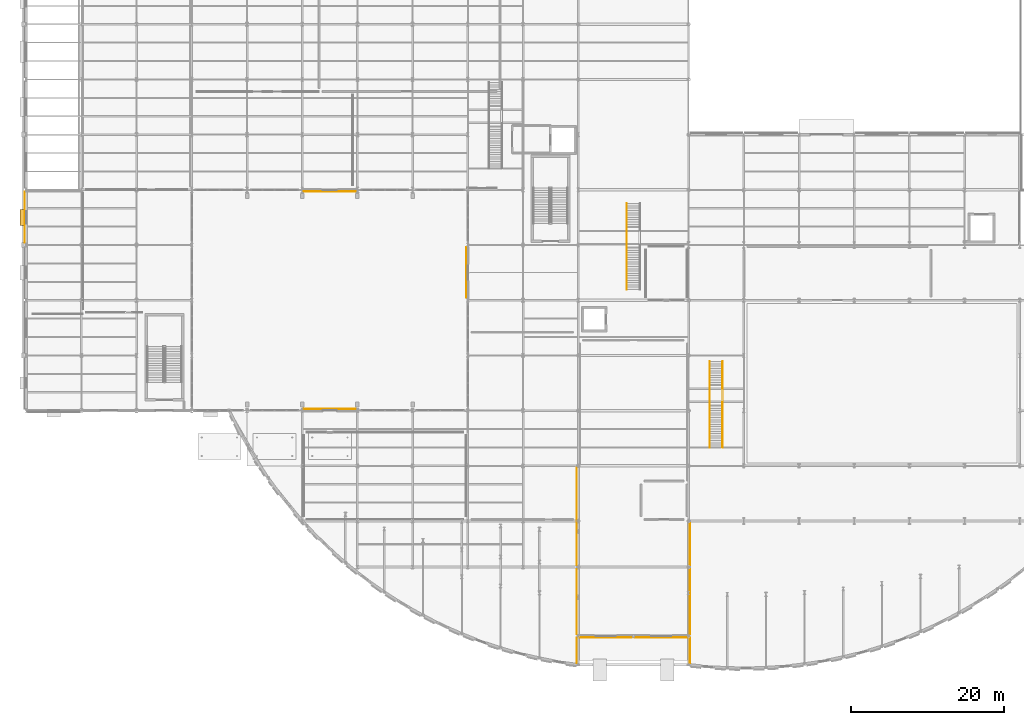
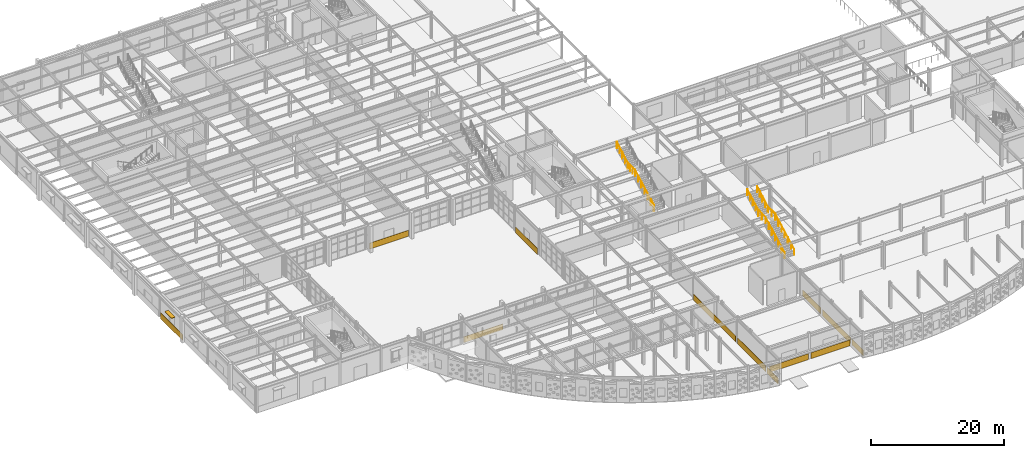
# One storey, part 72 of 83: 12 coverings, 3 railings, 1 shading device.
"""IFC4 building model written with IfcOpenShell, lengths in metres."""

from ifc_helpers import new_model, si_unit, direction, frame, origin, origin_2d, place, context, subcontext, project, spatial, rectangle, circle, extrude, material, layer, layer_set, type_object, element, save


model = new_model("IFC4")

# Units and contexts
model_context = context("Model", 3, precision=1e-05, world=origin(), true_north=direction((0.0, 1.0)))
body_context = subcontext(model_context, "Body", "Model", "MODEL_VIEW")
ifc_project = project(units=[si_unit("LENGTHUNIT", "METRE"), si_unit("AREAUNIT", "SQUARE_METRE"), si_unit("VOLUMEUNIT", "CUBIC_METRE"), si_unit("PLANEANGLEUNIT", "RADIAN"), si_unit("MASSUNIT", "GRAM", prefix="KILO")], contexts=[model_context])

# Site, building, storey
site_placement = place(None, origin())
site = spatial("IfcSite", under=ifc_project, at=site_placement, CompositionType="ELEMENT")
building_placement = place(site_placement, origin())
building = spatial("IfcBuilding", under=site, at=building_placement, Name="Solvadek Multi-Sports Hall", CompositionType="ELEMENT")
storey_placement = place(building_placement, origin())
storey = spatial("IfcBuildingStorey", under=building, at=storey_placement, Name="L00", CompositionType="ELEMENT", Elevation=0.0)

# Coverings
ifc_material_1 = material(Name="Dressed honey-cream limestone ashlar", Category="masonry")
ifc_layer = layer(ifc_material_1, 0.044921875, Name="Dressed honey-cream limestone ashlar")
ifc_layer_set = layer_set([ifc_layer], Name="Dressed honey-cream limestone ashlar")
covering_type = type_object("IfcCoveringType", Name="ENV-COV-CLAD45", PredefinedType="CLADDING", material=ifc_layer_set)
covering_1_placement = place(storey_placement, frame((-0.197021484375, 45.60009765625, 0.0), z_axis=(0.0, 0.0, 1.0), x_axis=(0.0, 1.0, 0.0)))
element("IfcCovering", 1, at=covering_1_placement, inside=storey, type_object=covering_type, Name="Deccan Granite Plinth Cladding #4", PredefinedType="CLADDING", context=body_context, shape_type="SweptSolid", body=[
    extrude(rectangle(XDim=6.64208984375, YDim=0.044921875, at=origin_2d()), origin(), (0.0, 0.0, 1.0), 1.10009765625),
])
for number, where, z_axis, x_axis, name in (
    (2, (75.60009765625, -9.197021484375, 0.0), (0.0, 0.0, 1.0), (1.0, 0.0, 0.0), "Deccan Granite Plinth Cladding #21"),
    (3, (82.800048828125, -9.197021484375, 0.0), (0.0, 0.0, 1.0), (1.0, 0.0, 0.0), "Deccan Granite Plinth Cladding #22"),
):
    element("IfcCovering", number, at=place(storey_placement, frame(where, z_axis=z_axis, x_axis=x_axis)), inside=storey, type_object=covering_type, Name=name, PredefinedType="CLADDING", context=body_context, shape_type="SweptSolid", body=[
        extrude(rectangle(XDim=6.7919921875, YDim=0.044921875, at=origin_2d()), origin(), (0.0, 0.0, 1.0), 1.10009765625),
    ])
covering_2_placement = place(storey_placement, frame((71.802978515625, -10.87646484375, 0.0), z_axis=(0.0, 0.0, 1.0), x_axis=(0.0, 1.0, 0.0)))
element("IfcCovering", 4, at=covering_2_placement, inside=storey, type_object=covering_type, Name="Deccan Granite Plinth Cladding #23", PredefinedType="CLADDING", context=body_context, shape_type="SweptSolid", body=[
    extrude(rectangle(XDim=3.344970703125, YDim=0.044921875, at=origin_2d()), origin(), (0.0, 0.0, 1.0), 1.10009765625),
])
covering_3_placement = place(storey_placement, frame((71.802978515625, -4.526611328125, 0.0), z_axis=(0.0, 0.0, 1.0), x_axis=(0.0, 1.0, 0.0)))
element("IfcCovering", 5, at=covering_3_placement, inside=storey, type_object=covering_type, Name="Deccan Granite Plinth Cladding #24", PredefinedType="CLADDING", context=body_context, shape_type="SweptSolid", body=[
    extrude(rectangle(XDim=8.5390625, YDim=0.044921875, at=origin_2d()), origin(), (0.0, 0.0, 1.0), 1.10009765625),
])
covering_4_placement = place(storey_placement, frame((71.802978515625, 6.60009765625, 0.0), z_axis=(0.0, 0.0, 1.0), x_axis=(0.0, 1.0, 0.0)))
element("IfcCovering", 6, at=covering_4_placement, inside=storey, type_object=covering_type, Name="Deccan Granite Plinth Cladding #25", PredefinedType="CLADDING", context=body_context, shape_type="SweptSolid", body=[
    extrude(rectangle(XDim=12.68603515625, YDim=0.044921875, at=origin_2d()), origin(), (0.0, 0.0, 1.0), 1.10009765625),
])
covering_5_placement = place(storey_placement, frame((86.59716796875, -10.87646484375, 0.0), z_axis=(0.0, 0.0, 1.0), x_axis=(0.0, 1.0, 0.0)))
element("IfcCovering", 7, at=covering_5_placement, inside=storey, type_object=covering_type, Name="Deccan Granite Plinth Cladding #26", PredefinedType="CLADDING", context=body_context, shape_type="SweptSolid", body=[
    extrude(rectangle(XDim=3.344970703125, YDim=0.044921875, at=origin_2d()), origin(), (0.0, 0.0, 1.0), 1.10009765625),
])
covering_6_placement = place(storey_placement, frame((86.59716796875, -4.526611328125, 0.0), z_axis=(0.0, 0.0, 1.0), x_axis=(0.0, 1.0, 0.0)))
element("IfcCovering", 8, at=covering_6_placement, inside=storey, type_object=covering_type, Name="Deccan Granite Plinth Cladding #27", PredefinedType="CLADDING", context=body_context, shape_type="SweptSolid", body=[
    extrude(rectangle(XDim=8.5390625, YDim=0.044921875, at=origin_2d()), origin(), (0.0, 0.0, 1.0), 1.10009765625),
])
covering_7_placement = place(storey_placement, frame((86.59716796875, 3.0, 0.0), z_axis=(0.0, 0.0, 1.0), x_axis=(0.0, 1.0, 0.0)))
element("IfcCovering", 9, at=covering_7_placement, inside=storey, type_object=covering_type, Name="Deccan Granite Plinth Cladding #28", PredefinedType="CLADDING", context=body_context, shape_type="SweptSolid", body=[
    extrude(rectangle(XDim=5.486083984375, YDim=0.044921875, at=origin_2d()), origin(), (0.0, 0.0, 1.0), 1.10009765625),
])
for number, where, z_axis, x_axis, name in (
    (10, (39.60009765625, 20.59716796875, 0.0), (0.0, 0.0, 1.0), (1.0, 0.0, 0.0), "Deccan Granite Plinth Cladding #43"),
    (11, (39.60009765625, 49.0029296875, 0.0), (0.0, 0.0, 1.0), (1.0, 0.0, 0.0), "Deccan Granite Plinth Cladding #44"),
):
    element("IfcCovering", number, at=place(storey_placement, frame(where, z_axis=z_axis, x_axis=x_axis)), inside=storey, type_object=covering_type, Name=name, PredefinedType="CLADDING", context=body_context, shape_type="SweptSolid", body=[
        extrude(rectangle(XDim=6.7919921875, YDim=0.044921875, at=origin_2d()), origin(), (0.0, 0.0, 1.0), 1.10009765625),
    ])
covering_8_placement = place(storey_placement, frame((57.40283203125, 38.39990234375, 0.0), z_axis=(0.0, 0.0, 1.0), x_axis=(0.0, 1.0, 0.0)))
element("IfcCovering", 12, at=covering_8_placement, inside=storey, type_object=covering_type, Name="Deccan Granite Plinth Cladding #45", PredefinedType="CLADDING", context=body_context, shape_type="SweptSolid", body=[
    extrude(rectangle(XDim=6.592041015625, YDim=0.044921875, at=origin_2d()), origin(), (0.0, 0.0, 1.0), 1.10009765625),
])

# Shading device
ifc_material_2 = material(Name="Perforated champagne-bronze anodised aluminium", Category="aluminium")
shading_device_type = type_object("IfcShadingDeviceType", Name="ENV-SHD-CHAJJA2", PredefinedType="JALOUSIE", material=ifc_material_2)
shading_device_placement = place(storey_placement, frame((-0.494384765625, 45.60009765625, 2.81982421875), z_axis=(0.0, 0.0, 1.0), x_axis=(0.0, 1.0, 0.0)))
element("IfcShadingDevice", 13, at=shading_device_placement, inside=storey, type_object=shading_device_type, Name="L00 Chajja Solar Shading Hood #8", PredefinedType="JALOUSIE", context=body_context, shape_type="SweptSolid", body=[
    extrude(rectangle(XDim=2.050048828125, YDim=0.639892578125, at=origin_2d()), origin(), (0.0, 0.0, 1.0), 0.1201171875),
])

# Railings
ifc_material_3 = material(Name="Steel E250 (250 MPa)", Category="steel")
railing_type = type_object("IfcRailingType", Name="INT-RAL-GRD115", PredefinedType="BALUSTRADE", material=ifc_material_3)
railing_1_placement = place(storey_placement, frame((78.3349609375, 36.199951171875, 0.0)))
element("IfcRailing", 14, at=railing_1_placement, inside=storey, type_object=railing_type, Name="Stair ST-07 Balustrade Guard", PredefinedType="BALUSTRADE", context=body_context, shape_type="SweptSolid", body=[
    extrude(circle(Radius=0.02392578125, at=origin_2d()), frame((0.0, 0.0, 1.1259765625), z_axis=(0.0, 0.884916578004, 0.465749557138), x_axis=(-1.0, 0.0, 0.0)), (0.0, 0.0, 1.0), 6.441162109375),
    extrude(circle(Radius=0.02392578125, at=origin_2d()), frame((0.0, 5.699951171875, 4.1259765625), z_axis=(0.0, 1.0, 0.0), x_axis=(-1.0, 0.0, 0.0)), (0.0, 0.0, 1.0), 2.2001953125),
    extrude(circle(Radius=0.02392578125, at=origin_2d()), frame((0.0, 7.900146484375, 4.1259765625), z_axis=(0.0, 0.8778781969, 0.478883985332), x_axis=(-1.0, 0.0, 0.0)), (0.0, 0.0, 1.0), 3.7587890625),
    extrude(circle(Radius=0.02099609375, at=origin_2d()), origin(), (0.0, 0.0, 1.0), 1.101806640625),
    extrude(circle(Radius=0.02099609375, at=origin_2d()), frame((0.0, 0.949951171875, 0.5)), (0.0, 0.0, 1.0), 1.101806640625),
    extrude(circle(Radius=0.02099609375, at=origin_2d()), frame((0.0, 1.89990234375, 1.0)), (0.0, 0.0, 1.0), 1.101806640625),
    extrude(circle(Radius=0.02099609375, at=origin_2d()), frame((0.0, 2.85009765625, 1.5)), (0.0, 0.0, 1.0), 1.101806640625),
    extrude(circle(Radius=0.02099609375, at=origin_2d()), frame((0.0, 3.800048828125, 2.0)), (0.0, 0.0, 1.0), 1.101806640625),
    extrude(circle(Radius=0.02099609375, at=origin_2d()), frame((0.0, 4.75, 2.5)), (0.0, 0.0, 1.0), 1.101806640625),
    extrude(circle(Radius=0.02099609375, at=origin_2d()), frame((0.0, 5.699951171875, 3.0)), (0.0, 0.0, 1.0), 1.101806640625),
    extrude(circle(Radius=0.02099609375, at=origin_2d()), frame((0.0, 6.433349609375, 3.0)), (0.0, 0.0, 1.0), 1.101806640625),
    extrude(circle(Radius=0.02099609375, at=origin_2d()), frame((0.0, 7.166748046875, 3.0)), (0.0, 0.0, 1.0), 1.101806640625),
    extrude(circle(Radius=0.02099609375, at=origin_2d()), frame((0.0, 7.900146484375, 3.0)), (0.0, 0.0, 1.0), 1.101806640625),
    extrude(circle(Radius=0.02099609375, at=origin_2d()), frame((0.0, 8.72509765625, 3.449951171875)), (0.0, 0.0, 1.0), 1.101806640625),
    extrude(circle(Radius=0.02099609375, at=origin_2d()), frame((0.0, 9.550048828125, 3.89990234375)), (0.0, 0.0, 1.0), 1.101806640625),
    extrude(circle(Radius=0.02099609375, at=origin_2d()), frame((0.0, 10.375, 4.35009765625)), (0.0, 0.0, 1.0), 1.101806640625),
    extrude(circle(Radius=0.02099609375, at=origin_2d()), frame((0.0, 11.199951171875, 4.800048828125)), (0.0, 0.0, 1.0), 1.101806640625),
])
railing_2_placement = place(storey_placement, frame((90.840087890625, 15.60009765625, 0.0)))
element("IfcRailing", 15, at=railing_2_placement, inside=storey, type_object=railing_type, Name="Stair ST-09 Balustrade Guard", PredefinedType="BALUSTRADE", context=body_context, shape_type="SweptSolid", body=[
    extrude(circle(Radius=0.02392578125, at=origin_2d()), frame((0.0, 0.0, 1.1259765625), z_axis=(0.0, 0.884916578004, 0.465749557138), x_axis=(-1.0, 0.0, 0.0)), (0.0, 0.0, 1.0), 6.441162109375),
    extrude(circle(Radius=0.02392578125, at=origin_2d()), frame((0.0, 5.699951171875, 4.1259765625), z_axis=(0.0, 1.0, 0.0), x_axis=(-1.0, 0.0, 0.0)), (0.0, 0.0, 1.0), 2.199951171875),
    extrude(circle(Radius=0.02392578125, at=origin_2d()), frame((0.0, 7.89990234375, 4.1259765625), z_axis=(0.0, 0.877893090839, 0.478856681124), x_axis=(-1.0, 0.0, 0.0)), (0.0, 0.0, 1.0), 3.759033203125),
    extrude(circle(Radius=0.02099609375, at=origin_2d()), origin(), (0.0, 0.0, 1.0), 1.101806640625),
    extrude(circle(Radius=0.02099609375, at=origin_2d()), frame((0.0, 0.949951171875, 0.5)), (0.0, 0.0, 1.0), 1.101806640625),
    extrude(circle(Radius=0.02099609375, at=origin_2d()), frame((0.0, 1.89990234375, 1.0)), (0.0, 0.0, 1.0), 1.101806640625),
    extrude(circle(Radius=0.02099609375, at=origin_2d()), frame((0.0, 2.85009765625, 1.5)), (0.0, 0.0, 1.0), 1.101806640625),
    extrude(circle(Radius=0.02099609375, at=origin_2d()), frame((0.0, 3.800048828125, 2.0)), (0.0, 0.0, 1.0), 1.101806640625),
    extrude(circle(Radius=0.02099609375, at=origin_2d()), frame((0.0, 4.75, 2.5)), (0.0, 0.0, 1.0), 1.101806640625),
    extrude(circle(Radius=0.02099609375, at=origin_2d()), frame((0.0, 5.699951171875, 3.0)), (0.0, 0.0, 1.0), 1.101806640625),
    extrude(circle(Radius=0.02099609375, at=origin_2d()), frame((0.0, 6.7998046875, 3.0)), (0.0, 0.0, 1.0), 1.101806640625),
    extrude(circle(Radius=0.02099609375, at=origin_2d()), frame((0.0, 7.89990234375, 3.0)), (0.0, 0.0, 1.0), 1.101806640625),
    extrude(circle(Radius=0.02099609375, at=origin_2d()), frame((0.0, 8.724853515625, 3.449951171875)), (0.0, 0.0, 1.0), 1.101806640625),
    extrude(circle(Radius=0.02099609375, at=origin_2d()), frame((0.0, 9.5498046875, 3.89990234375)), (0.0, 0.0, 1.0), 1.101806640625),
    extrude(circle(Radius=0.02099609375, at=origin_2d()), frame((0.0, 10.375, 4.35009765625)), (0.0, 0.0, 1.0), 1.101806640625),
    extrude(circle(Radius=0.02099609375, at=origin_2d()), frame((0.0, 11.199951171875, 4.800048828125)), (0.0, 0.0, 1.0), 1.101806640625),
])
railing_3_placement = place(storey_placement, frame((89.159912109375, 15.60009765625, 0.0)))
element("IfcRailing", 16, at=railing_3_placement, inside=storey, type_object=railing_type, Name="Stair ST-09 Balustrade Guard", PredefinedType="BALUSTRADE", context=body_context, shape_type="SweptSolid", body=[
    extrude(circle(Radius=0.02392578125, at=origin_2d()), frame((0.0, 0.0, 1.1259765625), z_axis=(0.0, 0.884916578004, 0.465749557138), x_axis=(-1.0, 0.0, 0.0)), (0.0, 0.0, 1.0), 6.441162109375),
    extrude(circle(Radius=0.02392578125, at=origin_2d()), frame((0.0, 5.699951171875, 4.1259765625), z_axis=(0.0, 1.0, 0.0), x_axis=(-1.0, 0.0, 0.0)), (0.0, 0.0, 1.0), 2.199951171875),
    extrude(circle(Radius=0.02392578125, at=origin_2d()), frame((0.0, 7.89990234375, 4.1259765625), z_axis=(0.0, 0.877893090839, 0.478856681124), x_axis=(-1.0, 0.0, 0.0)), (0.0, 0.0, 1.0), 3.759033203125),
    extrude(circle(Radius=0.02099609375, at=origin_2d()), origin(), (0.0, 0.0, 1.0), 1.101806640625),
    extrude(circle(Radius=0.02099609375, at=origin_2d()), frame((0.0, 0.949951171875, 0.5)), (0.0, 0.0, 1.0), 1.101806640625),
    extrude(circle(Radius=0.02099609375, at=origin_2d()), frame((0.0, 1.89990234375, 1.0)), (0.0, 0.0, 1.0), 1.101806640625),
    extrude(circle(Radius=0.02099609375, at=origin_2d()), frame((0.0, 2.85009765625, 1.5)), (0.0, 0.0, 1.0), 1.101806640625),
    extrude(circle(Radius=0.02099609375, at=origin_2d()), frame((0.0, 3.800048828125, 2.0)), (0.0, 0.0, 1.0), 1.101806640625),
    extrude(circle(Radius=0.02099609375, at=origin_2d()), frame((0.0, 4.75, 2.5)), (0.0, 0.0, 1.0), 1.101806640625),
    extrude(circle(Radius=0.02099609375, at=origin_2d()), frame((0.0, 5.699951171875, 3.0)), (0.0, 0.0, 1.0), 1.101806640625),
    extrude(circle(Radius=0.02099609375, at=origin_2d()), frame((0.0, 6.7998046875, 3.0)), (0.0, 0.0, 1.0), 1.101806640625),
    extrude(circle(Radius=0.02099609375, at=origin_2d()), frame((0.0, 7.89990234375, 3.0)), (0.0, 0.0, 1.0), 1.101806640625),
    extrude(circle(Radius=0.02099609375, at=origin_2d()), frame((0.0, 8.724853515625, 3.449951171875)), (0.0, 0.0, 1.0), 1.101806640625),
    extrude(circle(Radius=0.02099609375, at=origin_2d()), frame((0.0, 9.5498046875, 3.89990234375)), (0.0, 0.0, 1.0), 1.101806640625),
    extrude(circle(Radius=0.02099609375, at=origin_2d()), frame((0.0, 10.375, 4.35009765625)), (0.0, 0.0, 1.0), 1.101806640625),
    extrude(circle(Radius=0.02099609375, at=origin_2d()), frame((0.0, 11.199951171875, 4.800048828125)), (0.0, 0.0, 1.0), 1.101806640625),
])

save(model, "model.ifc")
